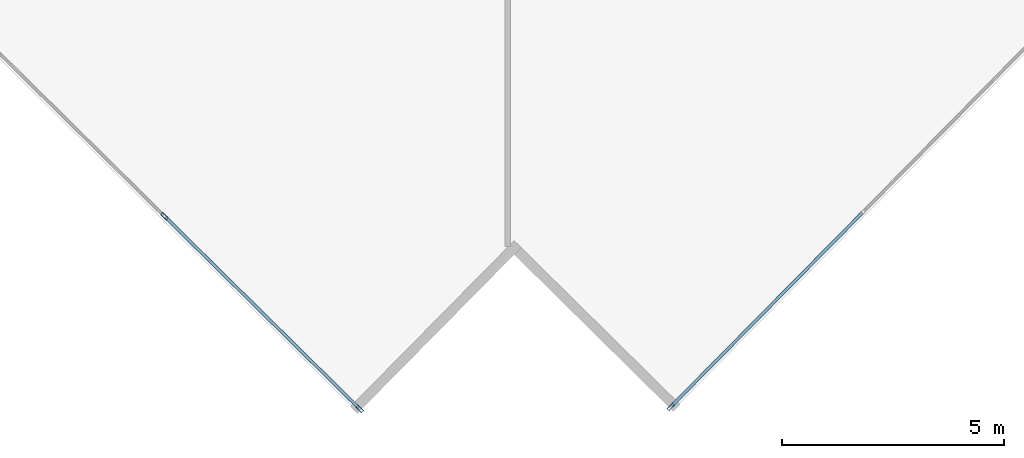
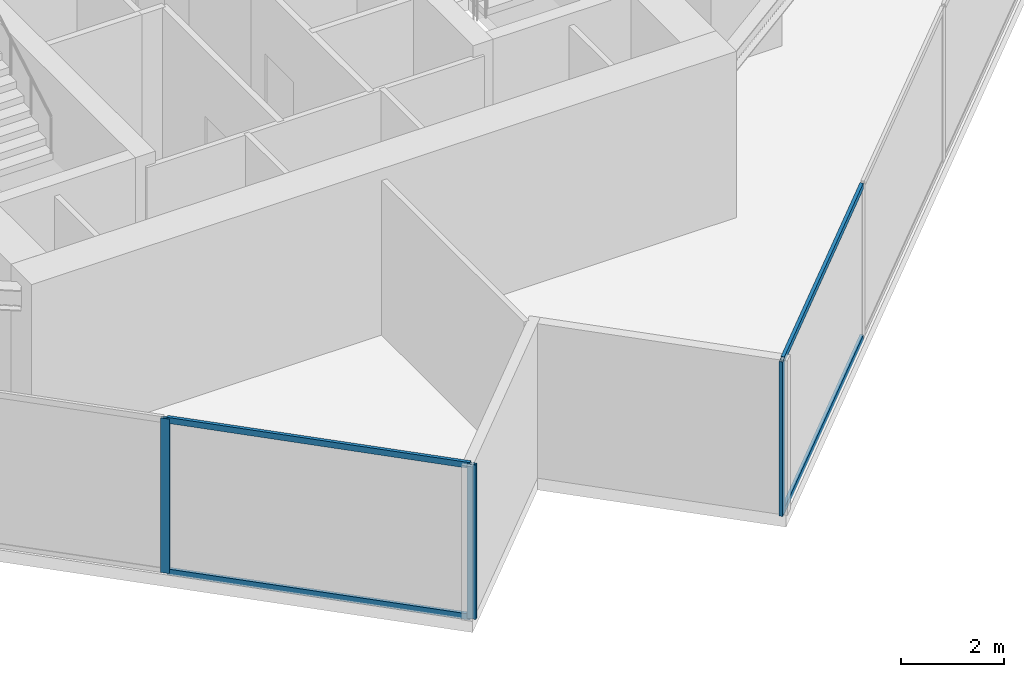
# One storey, part 3 of 24: 7 members, 2 elements without a shape of their own.
"""IFC4 building model written with IfcOpenShell, lengths in metres."""

from ifc_helpers import new_model, si_unit, direction, frame, origin, origin_2d, place, context, subcontext, project, spatial, hollow_rectangle, extrude, source, transform, mapped, material, material_profile, profile_set, type_object, type_shapes, element, aggregate, save


model = new_model("IFC4")

# Units and contexts
model_context = context("Model", 3, precision=1e-05, world=origin(), true_north=direction((0.0, 1.0)))
body_context = subcontext(model_context, "Body", "Model", "MODEL_VIEW")
ifc_project = project(units=[si_unit("LENGTHUNIT", "METRE"), si_unit("AREAUNIT", "SQUARE_METRE"), si_unit("VOLUMEUNIT", "CUBIC_METRE"), si_unit("PLANEANGLEUNIT", "RADIAN"), si_unit("MASSUNIT", "GRAM", prefix="KILO")], contexts=[model_context])

# Site, building, storey
site_placement = place(None, origin())
site = spatial("IfcSite", under=ifc_project, at=site_placement, CompositionType="ELEMENT")
building_placement = place(site_placement, origin())
building = spatial("IfcBuilding", under=site, at=building_placement, Name="Krantzveldt Concourse Tower", CompositionType="ELEMENT")
storey_placement = place(building_placement, frame((0.0, 0.0, 234.949951171875)))
storey = spatial("IfcBuildingStorey", under=building, at=storey_placement, Name="L57", CompositionType="ELEMENT", Elevation=234.949951171875)

# Curtain wall, members
ifc_material = material(Name="Anodised aluminium 6063-T6", Category="aluminium")
curtain_wall_type = type_object("IfcCurtainWallType", Name="CW3", PredefinedType="USERDEFINED", material=ifc_material)
curtain_wall_1_placement = place(storey_placement, origin())
curtain_wall_1 = element("IfcCurtainWall", 1, at=curtain_wall_1_placement, inside=storey, type_object=curtain_wall_type, Name="CW-L57-F04", ObjectType="UNITISED CURTAIN WALL", PredefinedType="USERDEFINED")
ifc_material_profile_1 = material_profile(ifc_material, hollow_rectangle(XDim=0.070068359375, YDim=0.179931640625, WallThickness=0.0048828125, at=origin_2d()), Name="Anodised aluminium 6063-T6", Category="aluminium")
ifc_profile_set_1 = profile_set([ifc_material_profile_1], Name="Anodised aluminium 6063-T6 - ALU-MULL 180x70x5")
member_type_1 = type_object("IfcMemberType", Name="CW-MUL-180", PredefinedType="MULLION", material=ifc_profile_set_1)
shared_shape_1 = source(origin(), body_context, "Body", "SweptSolid", [
    extrude(hollow_rectangle(XDim=0.070068359375, YDim=0.179931640625, WallThickness=0.0048828125, at=origin_2d()), origin(), (0.0, 0.0, 1.0), 3.670166015625),
])
type_shapes(member_type_1, [shared_shape_1])
member_1_placement = place(storey_placement, frame((28.28173828125, 5.640869140625, 0.0), z_axis=(0.0, 0.0, 1.0), x_axis=(0.702463570854, 0.711719700179, 0.0)))
member_1 = element("IfcMember", 2, at=member_1_placement, type_object=member_type_1, Name="CW-Z34 mullion 5", PredefinedType="MULLION", context=body_context, shape_type="MappedRepresentation", body=[
    mapped(shared_shape_1, transform((0.0, 0.0, 0.0), x_axis=(1.0, 0.0, 0.0), y_axis=(0.0, 1.0, 0.0), z_axis=(0.0, 0.0, 1.0), scale=1.0)),
])
member_2_placement = place(storey_placement, frame((32.66943359375, 1.310302734375, 0.0), z_axis=(0.0, 0.0, 1.0), x_axis=(0.702463570854, 0.711719700179, 0.0)))
member_2 = element("IfcMember", 3, at=member_2_placement, type_object=member_type_1, Name="CW-Z34 mullion 6", PredefinedType="MULLION", context=body_context, shape_type="MappedRepresentation", body=[
    mapped(shared_shape_1, transform((0.0, 0.0, 0.0), x_axis=(1.0, 0.0, 0.0), y_axis=(0.0, 1.0, 0.0), z_axis=(0.0, 0.0, 1.0), scale=1.0)),
])

# Curtain wall, member
curtain_wall_2_placement = place(storey_placement, origin())
curtain_wall_2 = element("IfcCurtainWall", 4, at=curtain_wall_2_placement, inside=storey, type_object=curtain_wall_type, Name="CW-L57-F07", ObjectType="UNITISED CURTAIN WALL", PredefinedType="USERDEFINED")
member_3_placement = place(storey_placement, frame((39.66259765625, 1.35595703125, 0.0), z_axis=(0.0, 0.0, 1.0), x_axis=(-0.711719700179, 0.702463570854, 0.0)))
member_3 = element("IfcMember", 5, at=member_3_placement, type_object=member_type_1, Name="CW-Z34 mullion 1", PredefinedType="MULLION", context=body_context, shape_type="MappedRepresentation", body=[
    mapped(shared_shape_1, transform((0.0, 0.0, 0.0), x_axis=(1.0, 0.0, 0.0), y_axis=(0.0, 1.0, 0.0), z_axis=(0.0, 0.0, 1.0), scale=1.0)),
])

# Member
ifc_material_profile_2 = material_profile(ifc_material, hollow_rectangle(XDim=0.070068359375, YDim=0.139892578125, WallThickness=0.0048828125, at=origin_2d()), Name="Anodised aluminium 6063-T6", Category="aluminium")
ifc_profile_set_2 = profile_set([ifc_material_profile_2], Name="Anodised aluminium 6063-T6 - ALU-TRAN 140x70x5")
member_type_2 = type_object("IfcMemberType", Name="CW-TRN-150", PredefinedType="USERDEFINED", material=ifc_profile_set_2)
shared_shape_2 = source(origin(), body_context, "Body", "SweptSolid", [
    extrude(hollow_rectangle(XDim=0.070068359375, YDim=0.139892578125, WallThickness=0.0048828125, at=origin_2d()), origin(), (0.0, 0.0, 1.0), 6.094970703125),
])
type_shapes(member_type_2, [shared_shape_2])
member_4_placement = place(storey_placement, frame((28.306640625, 5.6162109375, 0.03515625), z_axis=(0.711718134154, -0.702465157511, 0.0), x_axis=(0.702465157511, 0.711718134154, 0.0)))
member_4 = element("IfcMember", 6, at=member_4_placement, type_object=member_type_2, Name="CW-Z34 transom 5.1", ObjectType="TRANSOM", PredefinedType="USERDEFINED", context=body_context, shape_type="MappedRepresentation", body=[
    mapped(shared_shape_2, transform((0.0, 0.0, 0.0), x_axis=(1.0, 0.0, 0.0), y_axis=(0.0, 1.0, 0.0), z_axis=(0.0, 0.0, 1.0), scale=1.0)),
])

member_5_placement = place(storey_placement, frame((28.306640625, 5.6162109375, 3.635009765625), z_axis=(0.711718134154, -0.702465157511, 0.0), x_axis=(0.702465157511, 0.711718134154, 0.0)))
member_5 = element("IfcMember", 7, at=member_5_placement, type_object=member_type_2, Name="CW-Z34 transom 5.2", ObjectType="TRANSOM", PredefinedType="USERDEFINED", context=body_context, shape_type="MappedRepresentation", body=[
    mapped(shared_shape_2, transform((0.0, 0.0, 0.0), x_axis=(1.0, 0.0, 0.0), y_axis=(0.0, 1.0, 0.0), z_axis=(0.0, 0.0, 1.0), scale=1.0)),
])

aggregate(curtain_wall_1, [member_1, member_2, member_4, member_5])

member_6_placement = place(storey_placement, frame((39.687255859375, 1.380859375, 0.03515625), z_axis=(0.702465157511, 0.711718134154, 0.0), x_axis=(-0.711718134154, 0.702465157511, 0.0)))
member_6 = element("IfcMember", 8, at=member_6_placement, type_object=member_type_2, Name="CW-Z34 transom 1.1", ObjectType="TRANSOM", PredefinedType="USERDEFINED", context=body_context, shape_type="MappedRepresentation", body=[
    mapped(shared_shape_2, transform((0.0, 0.0, 0.0), x_axis=(1.0, 0.0, 0.0), y_axis=(0.0, 1.0, 0.0), z_axis=(0.0, 0.0, 1.0), scale=1.0)),
])

member_7_placement = place(storey_placement, frame((39.687255859375, 1.380859375, 3.635009765625), z_axis=(0.702465157511, 0.711718134154, 0.0), x_axis=(-0.711718134154, 0.702465157511, 0.0)))
member_7 = element("IfcMember", 9, at=member_7_placement, type_object=member_type_2, Name="CW-Z34 transom 1.2", ObjectType="TRANSOM", PredefinedType="USERDEFINED", context=body_context, shape_type="MappedRepresentation", body=[
    mapped(shared_shape_2, transform((0.0, 0.0, 0.0), x_axis=(1.0, 0.0, 0.0), y_axis=(0.0, 1.0, 0.0), z_axis=(0.0, 0.0, 1.0), scale=1.0)),
])

aggregate(curtain_wall_2, [member_3, member_6, member_7])

save(model, "model.ifc")
